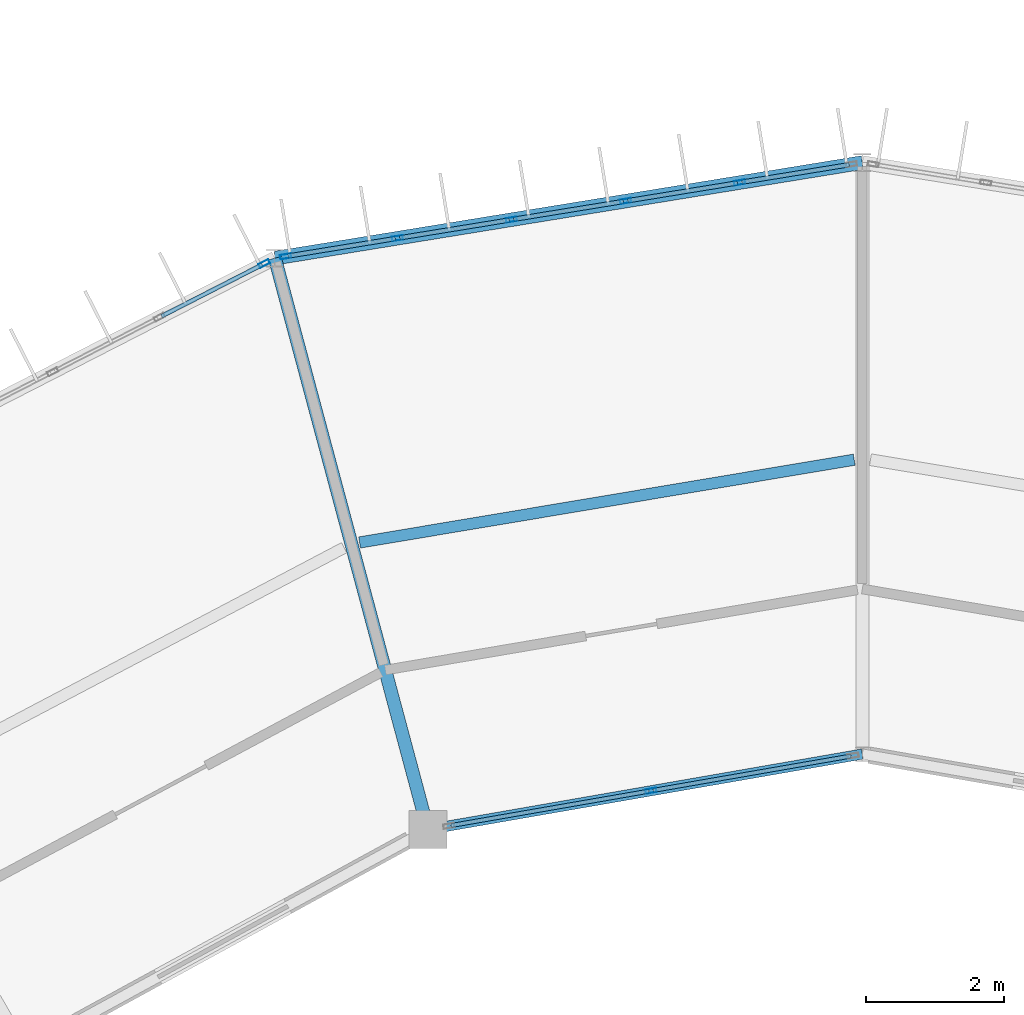
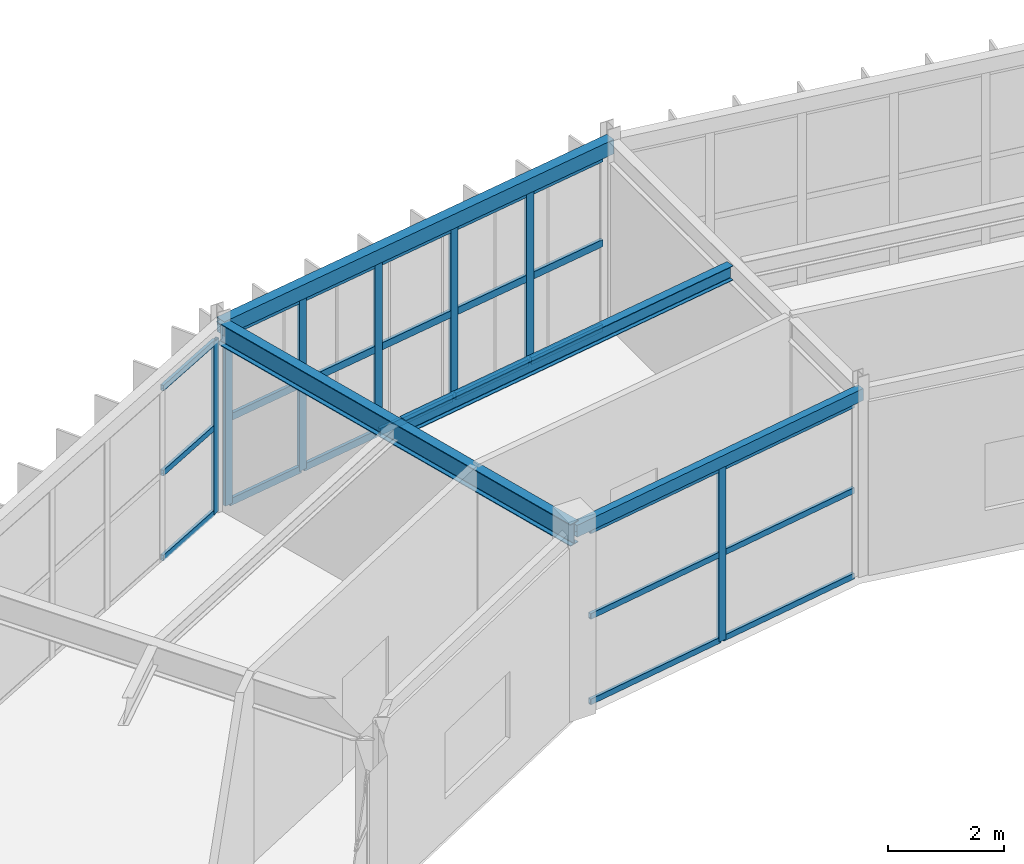
# One storey, part 70 of 130: 31 members, 4 beams, 3 elements without a shape of their own.
"""IFC4 building model written with IfcOpenShell, lengths in metres."""

from ifc_helpers import new_model, si_unit, direction, frame, origin, origin_2d, place, context, subcontext, project, spatial, hollow_rectangle, i_section, extrude, material, material_profile, profile_set, type_object, element, aggregate, save


model = new_model("IFC4")

# Units and contexts
model_context = context("Model", 3, precision=1e-05, world=origin(), true_north=direction((0.0, 1.0)))
body_context = subcontext(model_context, "Body", "Model", "MODEL_VIEW")
ifc_project = project(units=[si_unit("LENGTHUNIT", "METRE"), si_unit("AREAUNIT", "SQUARE_METRE"), si_unit("VOLUMEUNIT", "CUBIC_METRE"), si_unit("PLANEANGLEUNIT", "RADIAN"), si_unit("MASSUNIT", "GRAM", prefix="KILO")], contexts=[model_context])

# Site, building, storey
site_placement = place(None, origin())
site = spatial("IfcSite", under=ifc_project, at=site_placement, CompositionType="ELEMENT")
building_placement = place(site_placement, origin())
building = spatial("IfcBuilding", under=site, at=building_placement, Name="Karori Crest Natural Sciences Institute", CompositionType="ELEMENT")
storey_placement = place(building_placement, frame((0.0, 0.0, 17.5)))
storey = spatial("IfcBuildingStorey", under=building, at=storey_placement, Name="L04", CompositionType="ELEMENT", Elevation=17.5)

# Beams
ifc_material_1 = material(Name="Structural steel AS/NZS 3679.1 Grade 350", Category="steel")
ifc_material_profile_1 = material_profile(ifc_material_1, i_section(OverallWidth=0.19091796875, OverallDepth=0.4599609375, WebThickness=0.010009765625, FlangeThickness=0.01611328125, FilletRadius=0.010986328125, at=origin_2d()), Name="460UB82.1")
ifc_profile_set_1 = profile_set([ifc_material_profile_1], Name="Structural steel AS/NZS 3679.1 Grade 350")
beam_type_1 = type_object("IfcBeamType", Name="BT-06", PredefinedType="BEAM", material=ifc_profile_set_1)
beam_1_placement = place(storey_placement, frame((60.084716796875, 81.002685546875, 3.7099609375), z_axis=(-0.258812709002, 0.96592752402, 0.0), x_axis=(-0.96592752402, -0.258812709002, 0.0)))
element("IfcBeam", 1, at=beam_1_placement, inside=storey, type_object=beam_type_1, Name="Beam B-0479", PredefinedType="BEAM", context=body_context, shape_type="SweptSolid", body=[
    extrude(i_section(OverallWidth=0.19091796875, OverallDepth=0.4599609375, WebThickness=0.010009765625, FlangeThickness=0.01611328125, FilletRadius=0.010986328125, at=origin_2d()), origin(), (0.0, 0.0, 1.0), 8.60009765625),
])
ifc_material_profile_2 = material_profile(ifc_material_1, i_section(OverallWidth=0.1650390625, OverallDepth=0.303955078125, WebThickness=0.006103515625, FlangeThickness=0.01025390625, FilletRadius=0.010986328125, at=origin_2d()), Name="310UB40.4")
ifc_profile_set_2 = profile_set([ifc_material_profile_2], Name="Structural steel AS/NZS 3679.1 Grade 350")
beam_type_2 = type_object("IfcBeamType", Name="BT-10", PredefinedType="BEAM", material=ifc_profile_set_2)
beam_2_placement = place(storey_placement, frame((66.281494140625, 86.380126953125, 3.7880859375), z_axis=(-0.98626966223, -0.165142827164, 0.0), x_axis=(0.165142827164, -0.98626966223, 0.0)))
element("IfcBeam", 2, at=beam_2_placement, inside=storey, type_object=beam_type_2, Name="Beam B-0476", PredefinedType="BEAM", context=body_context, shape_type="SweptSolid", body=[
    extrude(i_section(OverallWidth=0.1650390625, OverallDepth=0.303955078125, WebThickness=0.006103515625, FlangeThickness=0.01025390625, FilletRadius=0.010986328125, at=origin_2d()), origin(), (0.0, 0.0, 1.0), 7.291259765625),
])
ifc_material_2 = material(Name="Hollow structural steel AS/NZS 1163 Grade C350", Category="steel")
ifc_material_profile_3 = material_profile(ifc_material_2, hollow_rectangle(XDim=0.199951171875, YDim=0.300048828125, WallThickness=0.010009765625, at=origin_2d()), Name="RHS300x200x10")
ifc_profile_set_3 = profile_set([ifc_material_profile_3], Name="Hollow structural steel AS/NZS 1163 Grade C350")
beam_type_3 = type_object("IfcBeamType", Name="BT-15", PredefinedType="SPANDREL", material=ifc_profile_set_3)
beam_3_placement = place(storey_placement, frame((66.39990234375, 90.699951171875, 3.7900390625), z_axis=(-0.987012055933, -0.160646199591, 0.0), x_axis=(0.160646199591, -0.987012055933, 0.0)))
element("IfcBeam", 3, at=beam_3_placement, inside=storey, type_object=beam_type_3, Name="Beam B-0473", PredefinedType="SPANDREL", context=body_context, shape_type="SweptSolid", body=[
    extrude(hollow_rectangle(XDim=0.199951171875, YDim=0.300048828125, WallThickness=0.010009765625, at=origin_2d()), origin(), (0.0, 0.0, 1.0), 8.6533203125),
])
ifc_material_profile_4 = material_profile(ifc_material_2, hollow_rectangle(XDim=0.14990234375, YDim=0.25, WallThickness=0.009033203125, at=origin_2d()), Name="RHS250x150x9")
ifc_profile_set_4 = profile_set([ifc_material_profile_4], Name="Hollow structural steel AS/NZS 1163 Grade C350")
beam_type_4 = type_object("IfcBeamType", Name="BT-16", PredefinedType="SPANDREL", material=ifc_profile_set_4)
beam_4_placement = place(storey_placement, frame((66.39990234375, 82.10009765625, 3.7900390625), z_axis=(-0.985234948316, -0.171207758638, 0.0), x_axis=(0.171207758638, -0.985234948316, 0.0)))
element("IfcBeam", 4, at=beam_4_placement, inside=storey, type_object=beam_type_4, Name="Beam B-0474", PredefinedType="SPANDREL", context=body_context, shape_type="SweptSolid", body=[
    extrude(hollow_rectangle(XDim=0.14990234375, YDim=0.25, WallThickness=0.009033203125, at=origin_2d()), origin(), (0.0, 0.0, 1.0), 6.409912109375),
])

# Curtain wall, members
ifc_material_3 = material(Name="Anodised architectural aluminium 6063-T6", Category="aluminium")
curtain_wall_type_1 = type_object("IfcCurtainWallType", Name="CWT-07", PredefinedType="NOTDEFINED", material=ifc_material_3)
curtain_wall_1_placement = place(storey_placement, origin())
curtain_wall_1 = element("IfcCurtainWall", 5, at=curtain_wall_1_placement, inside=storey, type_object=curtain_wall_type_1, Name="Curtain wall CW-0145", PredefinedType="NOTDEFINED")
ifc_material_profile_5 = material_profile(ifc_material_3, hollow_rectangle(XDim=0.06494140625, YDim=0.159912109375, WallThickness=0.00390625, at=origin_2d()), Name="CWM160x65x4")
ifc_profile_set_5 = profile_set([ifc_material_profile_5], Name="Anodised architectural aluminium 6063-T6")
member_type_1 = type_object("IfcMemberType", Name="CWM-01", PredefinedType="MULLION", material=ifc_profile_set_5)
member_1_placement = place(storey_placement, frame((58.01611328125, 89.33544921875, 0.0), z_axis=(0.0, 0.0, 1.0), x_axis=(-0.160650246484, 0.987011397252, 0.0)))
member_1 = element("IfcMember", 6, at=member_1_placement, type_object=member_type_1, Name="CW-0145 mullion 1", PredefinedType="MULLION", context=body_context, shape_type="SweptSolid", body=[
    extrude(hollow_rectangle(XDim=0.06494140625, YDim=0.159912109375, WallThickness=0.00390625, at=origin_2d()), origin(), (0.0, 0.0, 1.0), 3.625),
])
member_2_placement = place(storey_placement, frame((59.64208984375, 89.60009765625, 0.0), z_axis=(0.0, 0.0, 1.0), x_axis=(-0.160650246484, 0.987011397252, 0.0)))
member_2 = element("IfcMember", 7, at=member_2_placement, type_object=member_type_1, Name="CW-0145 mullion 2", PredefinedType="MULLION", context=body_context, shape_type="SweptSolid", body=[
    extrude(hollow_rectangle(XDim=0.06494140625, YDim=0.159912109375, WallThickness=0.00390625, at=origin_2d()), origin(), (0.0, 0.0, 1.0), 3.625),
])
member_3_placement = place(storey_placement, frame((61.300048828125, 89.869873046875, 0.0), z_axis=(0.0, 0.0, 1.0), x_axis=(-0.160650246484, 0.987011397252, 0.0)))
member_3 = element("IfcMember", 8, at=member_3_placement, type_object=member_type_1, Name="CW-0145 mullion 3", PredefinedType="MULLION", context=body_context, shape_type="SweptSolid", body=[
    extrude(hollow_rectangle(XDim=0.06494140625, YDim=0.159912109375, WallThickness=0.00390625, at=origin_2d()), origin(), (0.0, 0.0, 1.0), 3.625),
])
member_4_placement = place(storey_placement, frame((62.9580078125, 90.139892578125, 0.0), z_axis=(0.0, 0.0, 1.0), x_axis=(-0.160650246484, 0.987011397252, 0.0)))
member_4 = element("IfcMember", 9, at=member_4_placement, type_object=member_type_1, Name="CW-0145 mullion 4", PredefinedType="MULLION", context=body_context, shape_type="SweptSolid", body=[
    extrude(hollow_rectangle(XDim=0.06494140625, YDim=0.159912109375, WallThickness=0.00390625, at=origin_2d()), origin(), (0.0, 0.0, 1.0), 3.625),
])
member_5_placement = place(storey_placement, frame((64.615966796875, 90.40966796875, 0.0), z_axis=(0.0, 0.0, 1.0), x_axis=(-0.160650246484, 0.987011397252, 0.0)))
member_5 = element("IfcMember", 10, at=member_5_placement, type_object=member_type_1, Name="CW-0145 mullion 5", PredefinedType="MULLION", context=body_context, shape_type="SweptSolid", body=[
    extrude(hollow_rectangle(XDim=0.06494140625, YDim=0.159912109375, WallThickness=0.00390625, at=origin_2d()), origin(), (0.0, 0.0, 1.0), 3.625),
])

# Curtain wall, member
curtain_wall_type_2 = type_object("IfcCurtainWallType", Name="CWT-12", PredefinedType="NOTDEFINED", material=ifc_material_3)
curtain_wall_2_placement = place(storey_placement, origin())
curtain_wall_2 = element("IfcCurtainWall", 11, at=curtain_wall_2_placement, inside=storey, type_object=curtain_wall_type_2, Name="Curtain wall CW-0146", PredefinedType="NOTDEFINED")
member_6_placement = place(storey_placement, frame((63.32861328125, 81.56640625, 0.0), z_axis=(0.0, 0.0, 1.0), x_axis=(0.171173924291, -0.985240827231, 0.0)))
member_6 = element("IfcMember", 12, at=member_6_placement, type_object=member_type_1, Name="CW-0146 mullion 2", PredefinedType="MULLION", context=body_context, shape_type="SweptSolid", body=[
    extrude(hollow_rectangle(XDim=0.06494140625, YDim=0.159912109375, WallThickness=0.00390625, at=origin_2d()), origin(), (0.0, 0.0, 1.0), 3.64990234375),
])

curtain_wall_type_3 = type_object("IfcCurtainWallType", Name="CWT-08", PredefinedType="NOTDEFINED", material=ifc_material_3)
curtain_wall_3_placement = place(storey_placement, origin())
curtain_wall_3 = element("IfcCurtainWall", 13, at=curtain_wall_3_placement, inside=storey, type_object=curtain_wall_type_3, Name="Curtain wall CW-0147", PredefinedType="NOTDEFINED")
member_7_placement = place(storey_placement, frame((57.704833984375, 89.23095703125, 0.0), z_axis=(0.0, 0.0, 1.0), x_axis=(-0.455828878252, 0.890067432138, 0.0)))
member_7 = element("IfcMember", 14, at=member_7_placement, type_object=member_type_1, Name="CW-0147 mullion 6", PredefinedType="MULLION", context=body_context, shape_type="SweptSolid", body=[
    extrude(hollow_rectangle(XDim=0.06494140625, YDim=0.159912109375, WallThickness=0.00390625, at=origin_2d()), origin(), (0.0, 0.0, 1.0), 3.625),
])

# Member
ifc_material_profile_6 = material_profile(ifc_material_3, hollow_rectangle(XDim=0.06005859375, YDim=0.1201171875, WallThickness=0.00390625, at=origin_2d()), Name="CWT120x60x4")
ifc_profile_set_6 = profile_set([ifc_material_profile_6], Name="Anodised architectural aluminium 6063-T6")
member_type_2 = type_object("IfcMemberType", Name="CWT-TR1", PredefinedType="USERDEFINED", material=ifc_profile_set_6)
member_8_placement = place(storey_placement, frame((66.2353515625, 82.0712890625, 0.030029296875), z_axis=(-0.985251645562, -0.171111644601, 0.0), x_axis=(0.171111644601, -0.985251645562, 0.0)))
member_8 = element("IfcMember", 15, at=member_8_placement, type_object=member_type_2, Name="CW-0146 transom 1.1", ObjectType="TRANSOM", PredefinedType="USERDEFINED", context=body_context, shape_type="SweptSolid", body=[
    extrude(hollow_rectangle(XDim=0.06005859375, YDim=0.1201171875, WallThickness=0.00390625, at=origin_2d()), origin(), (0.0, 0.0, 1.0), 2.917724609375),
])

member_9_placement = place(storey_placement, frame((66.2353515625, 82.0712890625, 1.824951171875), z_axis=(-0.985251645562, -0.171111644601, 0.0), x_axis=(0.171111644601, -0.985251645562, 0.0)))
member_9 = element("IfcMember", 16, at=member_9_placement, type_object=member_type_2, Name="CW-0146 transom 1.2", ObjectType="TRANSOM", PredefinedType="USERDEFINED", context=body_context, shape_type="SweptSolid", body=[
    extrude(hollow_rectangle(XDim=0.06005859375, YDim=0.1201171875, WallThickness=0.00390625, at=origin_2d()), origin(), (0.0, 0.0, 1.0), 2.917724609375),
])

member_10_placement = place(storey_placement, frame((66.2353515625, 82.0712890625, 3.6201171875), z_axis=(-0.985251645562, -0.171111644601, 0.0), x_axis=(0.171111644601, -0.985251645562, 0.0)))
member_10 = element("IfcMember", 17, at=member_10_placement, type_object=member_type_2, Name="CW-0146 transom 1.3", ObjectType="TRANSOM", PredefinedType="USERDEFINED", context=body_context, shape_type="SweptSolid", body=[
    extrude(hollow_rectangle(XDim=0.06005859375, YDim=0.1201171875, WallThickness=0.00390625, at=origin_2d()), origin(), (0.0, 0.0, 1.0), 2.917724609375),
])

member_11_placement = place(storey_placement, frame((63.296630859375, 81.560791015625, 0.030029296875), z_axis=(-0.98523753612, -0.171192866149, 0.0), x_axis=(0.171192866149, -0.98523753612, 0.0)))
member_11 = element("IfcMember", 18, at=member_11_placement, type_object=member_type_2, Name="CW-0146 transom 2.1", ObjectType="TRANSOM", PredefinedType="USERDEFINED", context=body_context, shape_type="SweptSolid", body=[
    extrude(hollow_rectangle(XDim=0.06005859375, YDim=0.1201171875, WallThickness=0.00390625, at=origin_2d()), origin(), (0.0, 0.0, 1.0), 2.917724609375),
])

member_12_placement = place(storey_placement, frame((63.296630859375, 81.560791015625, 1.824951171875), z_axis=(-0.98523753612, -0.171192866149, 0.0), x_axis=(0.171192866149, -0.98523753612, 0.0)))
member_12 = element("IfcMember", 19, at=member_12_placement, type_object=member_type_2, Name="CW-0146 transom 2.2", ObjectType="TRANSOM", PredefinedType="USERDEFINED", context=body_context, shape_type="SweptSolid", body=[
    extrude(hollow_rectangle(XDim=0.06005859375, YDim=0.1201171875, WallThickness=0.00390625, at=origin_2d()), origin(), (0.0, 0.0, 1.0), 2.917724609375),
])

member_13_placement = place(storey_placement, frame((63.296630859375, 81.560791015625, 3.6201171875), z_axis=(-0.98523753612, -0.171192866149, 0.0), x_axis=(0.171192866149, -0.98523753612, 0.0)))
member_13 = element("IfcMember", 20, at=member_13_placement, type_object=member_type_2, Name="CW-0146 transom 2.3", ObjectType="TRANSOM", PredefinedType="USERDEFINED", context=body_context, shape_type="SweptSolid", body=[
    extrude(hollow_rectangle(XDim=0.06005859375, YDim=0.1201171875, WallThickness=0.00390625, at=origin_2d()), origin(), (0.0, 0.0, 1.0), 2.917724609375),
])

aggregate(curtain_wall_2, [member_6, member_8, member_9, member_10, member_11, member_12, member_13])

member_14_placement = place(storey_placement, frame((56.2109375, 88.4658203125, 0.030029296875), z_axis=(0.890084461025, 0.455795625518, 0.0), x_axis=(-0.455795625518, 0.890084461025, 0.0)))
member_14 = element("IfcMember", 21, at=member_14_placement, type_object=member_type_2, Name="CW-0147 transom 5.1", ObjectType="TRANSOM", PredefinedType="USERDEFINED", context=body_context, shape_type="SweptSolid", body=[
    extrude(hollow_rectangle(XDim=0.06005859375, YDim=0.1201171875, WallThickness=0.00390625, at=origin_2d()), origin(), (0.0, 0.0, 1.0), 1.64599609375),
])

member_15_placement = place(storey_placement, frame((56.2109375, 88.4658203125, 1.8125), z_axis=(0.890084461025, 0.455795625518, 0.0), x_axis=(-0.455795625518, 0.890084461025, 0.0)))
member_15 = element("IfcMember", 22, at=member_15_placement, type_object=member_type_2, Name="CW-0147 transom 5.2", ObjectType="TRANSOM", PredefinedType="USERDEFINED", context=body_context, shape_type="SweptSolid", body=[
    extrude(hollow_rectangle(XDim=0.06005859375, YDim=0.1201171875, WallThickness=0.00390625, at=origin_2d()), origin(), (0.0, 0.0, 1.0), 1.64599609375),
])

member_16_placement = place(storey_placement, frame((56.2109375, 88.4658203125, 3.594970703125), z_axis=(0.890084461025, 0.455795625518, 0.0), x_axis=(-0.455795625518, 0.890084461025, 0.0)))
member_16 = element("IfcMember", 23, at=member_16_placement, type_object=member_type_2, Name="CW-0147 transom 5.3", ObjectType="TRANSOM", PredefinedType="USERDEFINED", context=body_context, shape_type="SweptSolid", body=[
    extrude(hollow_rectangle(XDim=0.06005859375, YDim=0.1201171875, WallThickness=0.00390625, at=origin_2d()), origin(), (0.0, 0.0, 1.0), 1.64599609375),
])

aggregate(curtain_wall_3, [member_7, member_14, member_15, member_16])

ifc_material_profile_7 = material_profile(ifc_material_3, hollow_rectangle(XDim=0.06494140625, YDim=0.14990234375, WallThickness=0.00390625, at=origin_2d()), Name="CWT150x65x4")
ifc_profile_set_7 = profile_set([ifc_material_profile_7], Name="Anodised architectural aluminium 6063-T6")
member_type_3 = type_object("IfcMemberType", Name="CWT-TR2", PredefinedType="USERDEFINED", material=ifc_profile_set_7)
member_17_placement = place(storey_placement, frame((58.04833984375, 89.340576171875, 0.032470703125), z_axis=(0.987016373134, 0.160619672414, 0.0), x_axis=(-0.160619672414, 0.987016373134, 0.0)))
member_17 = element("IfcMember", 24, at=member_17_placement, type_object=member_type_3, Name="CW-0145 transom 1.1", ObjectType="TRANSOM", PredefinedType="USERDEFINED", context=body_context, shape_type="SweptSolid", body=[
    extrude(hollow_rectangle(XDim=0.06494140625, YDim=0.14990234375, WallThickness=0.00390625, at=origin_2d()), origin(), (0.0, 0.0, 1.0), 1.582275390625),
])

member_18_placement = place(storey_placement, frame((58.04833984375, 89.340576171875, 1.8125), z_axis=(0.987016373134, 0.160619672414, 0.0), x_axis=(-0.160619672414, 0.987016373134, 0.0)))
member_18 = element("IfcMember", 25, at=member_18_placement, type_object=member_type_3, Name="CW-0145 transom 1.2", ObjectType="TRANSOM", PredefinedType="USERDEFINED", context=body_context, shape_type="SweptSolid", body=[
    extrude(hollow_rectangle(XDim=0.06494140625, YDim=0.14990234375, WallThickness=0.00390625, at=origin_2d()), origin(), (0.0, 0.0, 1.0), 1.582275390625),
])

member_19_placement = place(storey_placement, frame((58.04833984375, 89.340576171875, 3.592529296875), z_axis=(0.987016373134, 0.160619672414, 0.0), x_axis=(-0.160619672414, 0.987016373134, 0.0)))
member_19 = element("IfcMember", 26, at=member_19_placement, type_object=member_type_3, Name="CW-0145 transom 1.3", ObjectType="TRANSOM", PredefinedType="USERDEFINED", context=body_context, shape_type="SweptSolid", body=[
    extrude(hollow_rectangle(XDim=0.06494140625, YDim=0.14990234375, WallThickness=0.00390625, at=origin_2d()), origin(), (0.0, 0.0, 1.0), 1.582275390625),
])

member_20_placement = place(storey_placement, frame((59.674072265625, 89.605224609375, 0.032470703125), z_axis=(0.987003924492, 0.160696151284, 0.0), x_axis=(-0.160696151284, 0.987003924492, 0.0)))
member_20 = element("IfcMember", 27, at=member_20_placement, type_object=member_type_3, Name="CW-0145 transom 2.1", ObjectType="TRANSOM", PredefinedType="USERDEFINED", context=body_context, shape_type="SweptSolid", body=[
    extrude(hollow_rectangle(XDim=0.06494140625, YDim=0.14990234375, WallThickness=0.00390625, at=origin_2d()), origin(), (0.0, 0.0, 1.0), 1.614990234375),
])

member_21_placement = place(storey_placement, frame((59.674072265625, 89.605224609375, 1.8125), z_axis=(0.987003924492, 0.160696151284, 0.0), x_axis=(-0.160696151284, 0.987003924492, 0.0)))
member_21 = element("IfcMember", 28, at=member_21_placement, type_object=member_type_3, Name="CW-0145 transom 2.2", ObjectType="TRANSOM", PredefinedType="USERDEFINED", context=body_context, shape_type="SweptSolid", body=[
    extrude(hollow_rectangle(XDim=0.06494140625, YDim=0.14990234375, WallThickness=0.00390625, at=origin_2d()), origin(), (0.0, 0.0, 1.0), 1.614990234375),
])

member_22_placement = place(storey_placement, frame((59.674072265625, 89.605224609375, 3.592529296875), z_axis=(0.987003924492, 0.160696151284, 0.0), x_axis=(-0.160696151284, 0.987003924492, 0.0)))
member_22 = element("IfcMember", 29, at=member_22_placement, type_object=member_type_3, Name="CW-0145 transom 2.3", ObjectType="TRANSOM", PredefinedType="USERDEFINED", context=body_context, shape_type="SweptSolid", body=[
    extrude(hollow_rectangle(XDim=0.06494140625, YDim=0.14990234375, WallThickness=0.00390625, at=origin_2d()), origin(), (0.0, 0.0, 1.0), 1.614990234375),
])

member_23_placement = place(storey_placement, frame((61.33203125, 89.875244140625, 0.032470703125), z_axis=(0.987027891182, 0.160548877383, 0.0), x_axis=(-0.160548877383, 0.987027891182, 0.0)))
member_23 = element("IfcMember", 30, at=member_23_placement, type_object=member_type_3, Name="CW-0145 transom 3.1", ObjectType="TRANSOM", PredefinedType="USERDEFINED", context=body_context, shape_type="SweptSolid", body=[
    extrude(hollow_rectangle(XDim=0.06494140625, YDim=0.14990234375, WallThickness=0.00390625, at=origin_2d()), origin(), (0.0, 0.0, 1.0), 1.614990234375),
])

member_24_placement = place(storey_placement, frame((61.33203125, 89.875244140625, 1.8125), z_axis=(0.987027891182, 0.160548877383, 0.0), x_axis=(-0.160548877383, 0.987027891182, 0.0)))
member_24 = element("IfcMember", 31, at=member_24_placement, type_object=member_type_3, Name="CW-0145 transom 3.2", ObjectType="TRANSOM", PredefinedType="USERDEFINED", context=body_context, shape_type="SweptSolid", body=[
    extrude(hollow_rectangle(XDim=0.06494140625, YDim=0.14990234375, WallThickness=0.00390625, at=origin_2d()), origin(), (0.0, 0.0, 1.0), 1.614990234375),
])

member_25_placement = place(storey_placement, frame((61.33203125, 89.875244140625, 3.592529296875), z_axis=(0.987027891182, 0.160548877383, 0.0), x_axis=(-0.160548877383, 0.987027891182, 0.0)))
member_25 = element("IfcMember", 32, at=member_25_placement, type_object=member_type_3, Name="CW-0145 transom 3.3", ObjectType="TRANSOM", PredefinedType="USERDEFINED", context=body_context, shape_type="SweptSolid", body=[
    extrude(hollow_rectangle(XDim=0.06494140625, YDim=0.14990234375, WallThickness=0.00390625, at=origin_2d()), origin(), (0.0, 0.0, 1.0), 1.614990234375),
])

member_26_placement = place(storey_placement, frame((62.990234375, 90.14501953125, 0.032470703125), z_axis=(0.987023993607, 0.160572837195, 0.0), x_axis=(-0.160572837195, 0.987023993607, 0.0)))
member_26 = element("IfcMember", 33, at=member_26_placement, type_object=member_type_3, Name="CW-0145 transom 4.1", ObjectType="TRANSOM", PredefinedType="USERDEFINED", context=body_context, shape_type="SweptSolid", body=[
    extrude(hollow_rectangle(XDim=0.06494140625, YDim=0.14990234375, WallThickness=0.00390625, at=origin_2d()), origin(), (0.0, 0.0, 1.0), 1.61474609375),
])

member_27_placement = place(storey_placement, frame((62.990234375, 90.14501953125, 1.8125), z_axis=(0.987023993607, 0.160572837195, 0.0), x_axis=(-0.160572837195, 0.987023993607, 0.0)))
member_27 = element("IfcMember", 34, at=member_27_placement, type_object=member_type_3, Name="CW-0145 transom 4.2", ObjectType="TRANSOM", PredefinedType="USERDEFINED", context=body_context, shape_type="SweptSolid", body=[
    extrude(hollow_rectangle(XDim=0.06494140625, YDim=0.14990234375, WallThickness=0.00390625, at=origin_2d()), origin(), (0.0, 0.0, 1.0), 1.61474609375),
])

member_28_placement = place(storey_placement, frame((62.990234375, 90.14501953125, 3.592529296875), z_axis=(0.987023993607, 0.160572837195, 0.0), x_axis=(-0.160572837195, 0.987023993607, 0.0)))
member_28 = element("IfcMember", 35, at=member_28_placement, type_object=member_type_3, Name="CW-0145 transom 4.3", ObjectType="TRANSOM", PredefinedType="USERDEFINED", context=body_context, shape_type="SweptSolid", body=[
    extrude(hollow_rectangle(XDim=0.06494140625, YDim=0.14990234375, WallThickness=0.00390625, at=origin_2d()), origin(), (0.0, 0.0, 1.0), 1.61474609375),
])

member_29_placement = place(storey_placement, frame((64.648193359375, 90.414794921875, 0.032470703125), z_axis=(0.987016373134, 0.160619672414, 0.0), x_axis=(-0.160619672414, 0.987016373134, 0.0)))
member_29 = element("IfcMember", 36, at=member_29_placement, type_object=member_type_3, Name="CW-0145 transom 5.1", ObjectType="TRANSOM", PredefinedType="USERDEFINED", context=body_context, shape_type="SweptSolid", body=[
    extrude(hollow_rectangle(XDim=0.06494140625, YDim=0.14990234375, WallThickness=0.00390625, at=origin_2d()), origin(), (0.0, 0.0, 1.0), 1.582275390625),
])

member_30_placement = place(storey_placement, frame((64.648193359375, 90.414794921875, 1.8125), z_axis=(0.987016373134, 0.160619672414, 0.0), x_axis=(-0.160619672414, 0.987016373134, 0.0)))
member_30 = element("IfcMember", 37, at=member_30_placement, type_object=member_type_3, Name="CW-0145 transom 5.2", ObjectType="TRANSOM", PredefinedType="USERDEFINED", context=body_context, shape_type="SweptSolid", body=[
    extrude(hollow_rectangle(XDim=0.06494140625, YDim=0.14990234375, WallThickness=0.00390625, at=origin_2d()), origin(), (0.0, 0.0, 1.0), 1.582275390625),
])

member_31_placement = place(storey_placement, frame((64.648193359375, 90.414794921875, 3.592529296875), z_axis=(0.987016373134, 0.160619672414, 0.0), x_axis=(-0.160619672414, 0.987016373134, 0.0)))
member_31 = element("IfcMember", 38, at=member_31_placement, type_object=member_type_3, Name="CW-0145 transom 5.3", ObjectType="TRANSOM", PredefinedType="USERDEFINED", context=body_context, shape_type="SweptSolid", body=[
    extrude(hollow_rectangle(XDim=0.06494140625, YDim=0.14990234375, WallThickness=0.00390625, at=origin_2d()), origin(), (0.0, 0.0, 1.0), 1.582275390625),
])

aggregate(curtain_wall_1, [member_1, member_2, member_3, member_4, member_5, member_17, member_18, member_19, member_20, member_21, member_22, member_23, member_24, member_25, member_26, member_27, member_28, member_29, member_30, member_31])

save(model, "model.ifc")
